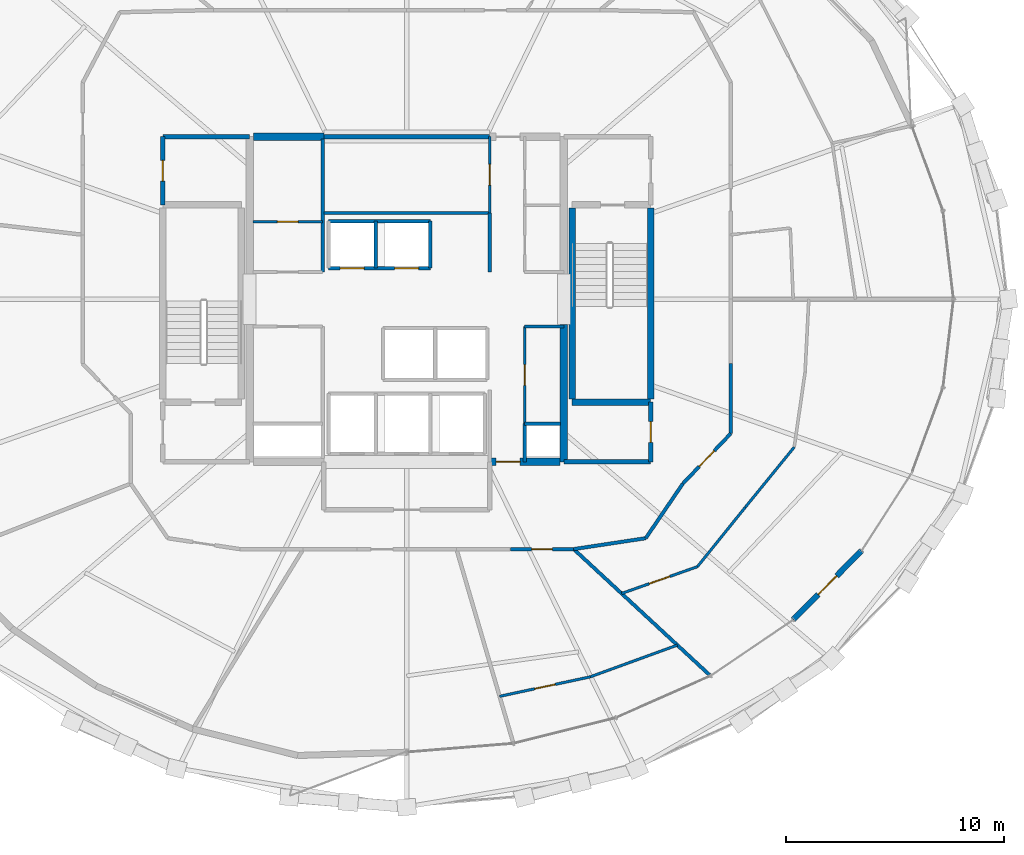
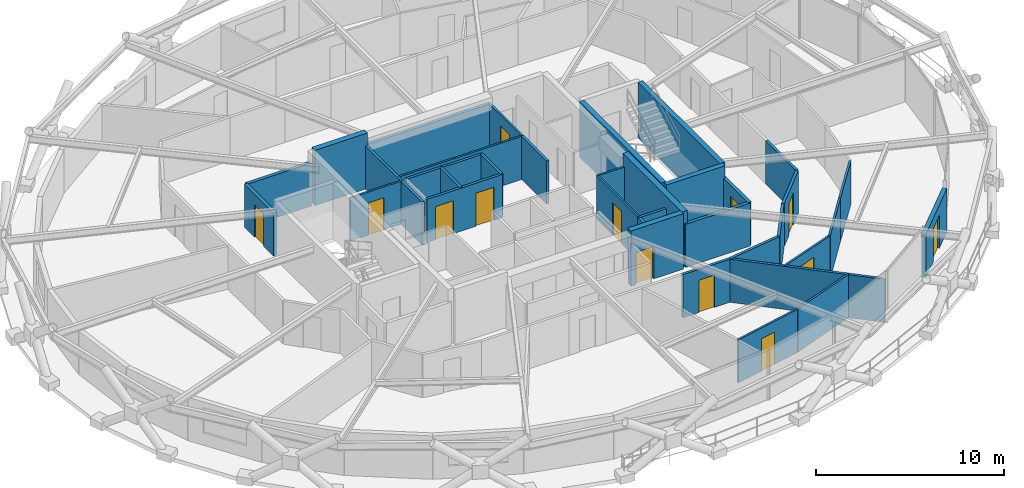
# One storey, part 12 of 15: 36 walls, 13 doors, 13 openings.
"""IFC4 building model written with IfcOpenShell, lengths in metres."""

from ifc_helpers import new_model, si_unit, direction, frame, frame_2d, origin, place, context, subcontext, project, spatial, rectangle, extrude, material, layer, layer_set, type_object, element, fill, save


model = new_model("IFC4")

# Units and contexts
model_context = context("Model", 3, precision=1e-05, world=origin(), true_north=direction((0.0, 1.0)))
body_context = subcontext(model_context, "Body", "Model", "MODEL_VIEW")
ifc_project = project(units=[si_unit("LENGTHUNIT", "METRE"), si_unit("AREAUNIT", "SQUARE_METRE"), si_unit("VOLUMEUNIT", "CUBIC_METRE"), si_unit("PLANEANGLEUNIT", "RADIAN"), si_unit("MASSUNIT", "GRAM", prefix="KILO")], contexts=[model_context])

# Site, building, storey
site_placement = place(None, origin())
site = spatial("IfcSite", under=ifc_project, at=site_placement, CompositionType="ELEMENT")
building_placement = place(site_placement, origin())
building = spatial("IfcBuilding", under=site, at=building_placement, Name="Veldorina Hangang Commons", CompositionType="ELEMENT")
storey_placement = place(building_placement, frame((0.0, 0.0, 182.0)))
storey = spatial("IfcBuildingStorey", under=building, at=storey_placement, Name="L47", CompositionType="ELEMENT", Elevation=182.0)

# Wall
ifc_material_1 = material(Name="Concrete C60/75", Category="concrete")
ifc_layer_1 = layer(ifc_material_1, 0.340087890625)
ifc_layer_set_1 = layer_set([ifc_layer_1], Name="Concrete C60/75")
wall_type_1 = type_object("IfcWallType", Name="CW-RC340-C60", PredefinedType="SHEAR", material=ifc_layer_set_1)
wall_1_placement = place(storey_placement, frame((39.199951171875, 16.550048828125, 0.0), z_axis=(0.0, 0.0, 1.0), x_axis=(0.0, 1.0, 0.0)))
element("IfcWall", 1, at=wall_1_placement, inside=storey, type_object=wall_type_1, Name="L47 E south core shear wall", PredefinedType="SHEAR", context=body_context, shape_type="SweptSolid", body=[
    extrude(rectangle(XDim=6.300048828125, YDim=0.340087890625, at=frame_2d((3.14990234375, 0.0))), origin(), (0.0, 0.0, 1.0), 3.60009765625),
])

# Wall, opening, door
wall_2_placement = place(storey_placement, frame((35.800048828125, 16.550048828125, 0.0), z_axis=(0.0, 0.0, 1.0), x_axis=(1.0, 0.0, 0.0)))
wall_2 = element("IfcWall", 2, at=wall_2_placement, inside=storey, type_object=wall_type_1, Name="L47 south-east core shear wall", PredefinedType="SHEAR", context=body_context, shape_type="SweptSolid", body=[
    extrude(rectangle(XDim=3.22998046875, YDim=0.340087890625, at=frame_2d((1.614990234375, 0.0))), origin(), (0.0, 0.0, 1.0), 3.60009765625),
])
opening_1_placement = place(wall_2_placement, frame((0.300048828125, 0.0, 0.0)))
opening_1 = element("IfcOpeningElement", 3, at=opening_1_placement, cuts=wall_2, Name="Opening D-08", PredefinedType="OPENING", context=body_context, shape_type="SweptSolid", body=[
    extrude(rectangle(XDim=1.10009765625, YDim=2.10009765625, at=frame_2d((0.550048828125, 1.050048828125))), frame((0.0, 0.18017578125, 0.0), z_axis=(0.0, -1.0, 0.0), x_axis=(1.0, 0.0, 0.0)), (0.0, 0.0, 1.0), 0.360107421875),
])
ifc_material_2 = material(Name="Steel Fire-Rated Smoke Seal", Category="steel")
door_type_1 = type_object("IfcDoorType", Name="DR-FIRE-1100", OperationType="SINGLE_SWING_RIGHT", PredefinedType="DOOR", material=ifc_material_2)
door_1_placement = place(opening_1_placement, origin())
door_1 = element("IfcDoor", 4, at=door_1_placement, inside=storey, type_object=door_type_1, Name="L47 central lift lobby south corridor door", OperationType="SINGLE_SWING_RIGHT", OverallHeight=2.10009765625, OverallWidth=1.10009765625, PredefinedType="DOOR", context=body_context, shape_type="SweptSolid", body=[
    extrude(rectangle(XDim=1.10009765625, YDim=2.10009765625, at=frame_2d((0.550048828125, 1.050048828125))), frame((0.0, 0.02490234375, 0.0), z_axis=(0.0, -1.0, 0.0), x_axis=(1.0, 0.0, 0.0)), (0.0, 0.0, 1.0), 0.050048828125),
])
fill(opening_1, door_1)

# Wall
wall_3_placement = place(storey_placement, frame((24.969970703125, 31.449951171875, 0.0), z_axis=(0.0, 0.0, 1.0), x_axis=(1.0, 0.0, 0.0)))
element("IfcWall", 5, at=wall_3_placement, inside=storey, type_object=wall_type_1, Name="L47 north-west core shear wall", PredefinedType="SHEAR", context=body_context, shape_type="SweptSolid", body=[
    extrude(rectangle(XDim=3.22998046875, YDim=0.340087890625, at=frame_2d((1.614990234375, 0.0))), origin(), (0.0, 0.0, 1.0), 3.60009765625),
])

# Wall, opening, door
ifc_material_3 = material(Name="Stone Roman Travertine", Category="masonry")
ifc_layer_2 = layer(ifc_material_3, 0.260009765625)
ifc_layer_set_2 = layer_set([ifc_layer_2], Name="Stone Roman Travertine")
wall_type_2 = type_object("IfcWallType", Name="EW-LOGGIA-260", PredefinedType="STANDARD", material=ifc_layer_set_2)
wall_4_placement = place(storey_placement, frame((49.71728515625, 9.323486328125, 0.0), z_axis=(0.0, 0.0, 1.0), x_axis=(0.703818286912, 0.710380052513, 0.0)))
wall_4 = element("IfcWall", 6, at=wall_4_placement, inside=storey, type_object=wall_type_2, Name="L47 sky-garden loggia portal wall 28", PredefinedType="STANDARD", context=body_context, shape_type="SweptSolid", body=[
    extrude(rectangle(XDim=4.427490234375, YDim=0.260009765625, at=frame_2d((2.2138671875, 0.0))), origin(), (0.0, 0.0, 1.0), 2.820068359375),
])
opening_2_placement = place(wall_4_placement, frame((1.61376953125, 0.0, 0.0)))
opening_2 = element("IfcOpeningElement", 7, at=opening_2_placement, cuts=wall_4, Name="Opening BD-1200", PredefinedType="OPENING", context=body_context, shape_type="SweptSolid", body=[
    extrude(rectangle(XDim=1.199951171875, YDim=2.14990234375, at=frame_2d((0.60009765625, 1.074951171875))), frame((0.0, 0.14013671875, 0.0), z_axis=(0.0, -1.0, 0.0), x_axis=(1.0, 0.0, 0.0)), (0.0, 0.0, 1.0), 0.280029296875),
])
ifc_material_4 = material(Name="Glass Thermal Aluminium Frame", Category="aluminium")
door_type_2 = type_object("IfcDoorType", Name="DR-EXT-LOG1200", OperationType="SINGLE_SWING_LEFT", PredefinedType="DOOR", material=ifc_material_4)
door_2_placement = place(opening_2_placement, origin())
door_2 = element("IfcDoor", 8, at=door_2_placement, inside=storey, type_object=door_type_2, Name="L47 loggia glazed exterior door 28", OperationType="SINGLE_SWING_LEFT", OverallHeight=2.14990234375, OverallWidth=1.199951171875, PredefinedType="DOOR", context=body_context, shape_type="SweptSolid", body=[
    extrude(rectangle(XDim=1.199951171875, YDim=2.14990234375, at=frame_2d((0.60009765625, 1.074951171875))), frame((0.0, 0.02490234375, 0.0), z_axis=(0.0, -1.0, 0.0), x_axis=(1.0, 0.0, 0.0)), (0.0, 0.0, 1.0), 0.050048828125),
])
fill(opening_2, door_2)

# Walls
ifc_material_5 = material(Name="Concrete C50/60", Category="concrete")
ifc_layer_3 = layer(ifc_material_5, 0.300048828125)
ifc_layer_set_3 = layer_set([ifc_layer_3], Name="Concrete C50/60")
wall_type_3 = type_object("IfcWallType", Name="SW-STAIR-300", PredefinedType="SHEAR", material=ifc_layer_set_3)
for number, where, z_axis, x_axis, name in (
    (9, (43.179931640625, 19.429931640625, 0.0), (0.0, 0.0, 1.0), (0.0, 1.0, 0.0), "L47 ST2 outer stair shear wall"),
    (10, (39.580078125, 19.429931640625, 0.0), (0.0, 0.0, 1.0), (0.0, 1.0, 0.0), "L47 ST2 inner stair shear wall"),
):
    element("IfcWall", number, at=place(storey_placement, frame(where, z_axis=z_axis, x_axis=x_axis)), inside=storey, type_object=wall_type_3, Name=name, PredefinedType="SHEAR", context=body_context, shape_type="SweptSolid", body=[
        extrude(rectangle(XDim=8.739990234375, YDim=0.300048828125, at=frame_2d((4.3701171875, 0.0))), origin(), (0.0, 0.0, 1.0), 3.60009765625),
    ])
wall_5_placement = place(storey_placement, frame((39.580078125, 19.280029296875, 0.0), z_axis=(0.0, 0.0, 1.0), x_axis=(1.0, 0.0, 0.0)))
element("IfcWall", 11, at=wall_5_placement, inside=storey, type_object=wall_type_3, Name="L47 ST2 south stair shear wall", PredefinedType="SHEAR", context=body_context, shape_type="SweptSolid", body=[
    extrude(rectangle(XDim=3.599853515625, YDim=0.300048828125, at=frame_2d((1.7998046875, 0.0))), origin(), (0.0, 0.0, 1.0), 3.60009765625),
])
ifc_material_6 = material(Name="Gypsum Fire-Rated Twin Stud Wall", Category="gypsum")
ifc_layer_4 = layer(ifc_material_6, 0.159912109375)
ifc_layer_set_4 = layer_set([ifc_layer_4], Name="Gypsum Fire-Rated Twin Stud Wall")
wall_type_4 = type_object("IfcWallType", Name="WL-FIRE-160", PredefinedType="SOLIDWALL", material=ifc_layer_set_4)
wall_6_placement = place(storey_placement, frame((37.39990234375, 16.550048828125, 0.0), z_axis=(0.0, 0.0, 1.0), x_axis=(0.0, 1.0, 0.0)))
element("IfcWall", 12, at=wall_6_placement, inside=storey, type_object=wall_type_4, Name="L47 Lift passage SE stub 010", PredefinedType="SOLIDWALL", context=body_context, shape_type="SweptSolid", body=[
    extrude(rectangle(XDim=1.75, YDim=0.159912109375, at=frame_2d((0.875, 0.0))), origin(), (0.0, 0.0, 1.0), 2.800048828125),
])
wall_7_placement = place(storey_placement, frame((35.800048828125, 25.25, 0.0), z_axis=(0.0, 0.0, 1.0), x_axis=(0.0, 1.0, 0.0)))
element("IfcWall", 13, at=wall_7_placement, inside=storey, type_object=wall_type_4, Name="L47 Lift passage NW lower wall 011", PredefinedType="SOLIDWALL", context=body_context, shape_type="SweptSolid", body=[
    extrude(rectangle(XDim=2.699951171875, YDim=0.159912109375, at=frame_2d((1.35009765625, 0.0))), origin(), (0.0, 0.0, 1.0), 2.800048828125),
])

# Wall, openings, doors
wall_8_placement = place(storey_placement, frame((28.419921875, 25.419921875, 0.0), z_axis=(0.0, 0.0, 1.0), x_axis=(1.0, 0.0, 0.0)))
wall_8 = element("IfcWall", 14, at=wall_8_placement, inside=storey, type_object=wall_type_4, Name="L47 Mid-high front shaft wall 015", PredefinedType="SOLIDWALL", context=body_context, shape_type="SweptSolid", body=[
    extrude(rectangle(XDim=4.66015625, YDim=0.159912109375, at=frame_2d((2.330078125, 0.0))), origin(), (0.0, 0.0, 1.0), 2.800048828125),
])
opening_3_placement = place(wall_8_placement, frame((0.530029296875, 0.0, 0.0)))
opening_3 = element("IfcOpeningElement", 15, at=opening_3_placement, cuts=wall_8, Name="Opening LD-01", PredefinedType="OPENING", context=body_context, shape_type="SweptSolid", body=[
    extrude(rectangle(XDim=1.10009765625, YDim=2.14990234375, at=frame_2d((0.550048828125, 1.074951171875))), frame((0.0, 0.08984375, 0.0), z_axis=(0.0, -1.0, 0.0), x_axis=(1.0, 0.0, 0.0)), (0.0, 0.0, 1.0), 0.179931640625),
])
opening_4_placement = place(wall_8_placement, frame((3.030029296875, 0.0, 0.0)))
opening_4 = element("IfcOpeningElement", 16, at=opening_4_placement, cuts=wall_8, Name="Opening LD-01", PredefinedType="OPENING", context=body_context, shape_type="SweptSolid", body=[
    extrude(rectangle(XDim=1.10009765625, YDim=2.14990234375, at=frame_2d((0.550048828125, 1.074951171875))), frame((0.0, 0.08984375, 0.0), z_axis=(0.0, -1.0, 0.0), x_axis=(1.0, 0.0, 0.0)), (0.0, 0.0, 1.0), 0.179931640625),
])
ifc_material_7 = material(Name="Stainless Steel Brushed Lift Door", Category="steel")
door_type_3 = type_object("IfcDoorType", Name="DR-LIFT-1100", OperationType="SLIDING_TO_LEFT", PredefinedType="DOOR", material=ifc_material_7)
door_3_placement = place(opening_3_placement, origin())
door_3 = element("IfcDoor", 17, at=door_3_placement, inside=storey, type_object=door_type_3, Name="L47 Lift PL-M1 landing door 006", OperationType="SLIDING_TO_RIGHT", OverallHeight=2.14990234375, OverallWidth=1.10009765625, PredefinedType="DOOR", context=body_context, shape_type="SweptSolid", body=[
    extrude(rectangle(XDim=1.10009765625, YDim=2.14990234375, at=frame_2d((0.550048828125, 1.074951171875))), frame((0.0, 0.02490234375, 0.0), z_axis=(0.0, -1.0, 0.0), x_axis=(1.0, 0.0, 0.0)), (0.0, 0.0, 1.0), 0.050048828125),
])
fill(opening_3, door_3)
door_4_placement = place(opening_4_placement, origin())
door_4 = element("IfcDoor", 18, at=door_4_placement, inside=storey, type_object=door_type_3, Name="L47 Lift PL-M2 landing door 007", OperationType="SLIDING_TO_RIGHT", OverallHeight=2.14990234375, OverallWidth=1.10009765625, PredefinedType="DOOR", context=body_context, shape_type="SweptSolid", body=[
    extrude(rectangle(XDim=1.10009765625, YDim=2.14990234375, at=frame_2d((0.550048828125, 1.074951171875))), frame((0.0, 0.02490234375, 0.0), z_axis=(0.0, -1.0, 0.0), x_axis=(1.0, 0.0, 0.0)), (0.0, 0.0, 1.0), 0.050048828125),
])
fill(opening_4, door_4)

# Walls
wall_9_placement = place(storey_placement, frame((28.419921875, 27.580078125, 0.0), z_axis=(0.0, 0.0, 1.0), x_axis=(1.0, 0.0, 0.0)))
element("IfcWall", 19, at=wall_9_placement, inside=storey, type_object=wall_type_4, Name="L47 Mid-high rear shaft wall 016", PredefinedType="SOLIDWALL", context=body_context, shape_type="SweptSolid", body=[
    extrude(rectangle(XDim=4.66015625, YDim=0.159912109375, at=frame_2d((2.330078125, 0.0))), origin(), (0.0, 0.0, 1.0), 2.800048828125),
])
for number, where, z_axis, x_axis, name in (
    (20, (30.580078125, 25.419921875, 0.0), (0.0, 0.0, 1.0), (0.0, 1.0, 0.0), "L47 PL-M1 east shaft wall 018"),
    (21, (33.080078125, 25.419921875, 0.0), (0.0, 0.0, 1.0), (0.0, 1.0, 0.0), "L47 PL-M2 east shaft wall 019"),
):
    element("IfcWall", number, at=place(storey_placement, frame(where, z_axis=z_axis, x_axis=x_axis)), inside=storey, type_object=wall_type_4, Name=name, PredefinedType="SOLIDWALL", context=body_context, shape_type="SweptSolid", body=[
        extrude(rectangle(XDim=2.16015625, YDim=0.159912109375, at=frame_2d((1.080078125, 0.0))), origin(), (0.0, 0.0, 1.0), 2.800048828125),
    ])
wall_10_placement = place(storey_placement, frame((37.39990234375, 18.300048828125, 0.0), z_axis=(0.0, 0.0, 1.0), x_axis=(1.0, 0.0, 0.0)))
element("IfcWall", 22, at=wall_10_placement, inside=storey, type_object=wall_type_4, Name="L47 Plumbing riser wall 036", PredefinedType="SOLIDWALL", context=body_context, shape_type="SweptSolid", body=[
    extrude(rectangle(XDim=1.650146484375, YDim=0.159912109375, at=frame_2d((0.8251953125, 0.0))), origin(), (0.0, 0.0, 1.0), 2.800048828125),
])
wall_11_placement = place(storey_placement, frame((28.14990234375, 25.25, 0.0), z_axis=(0.0, 0.0, 1.0), x_axis=(0.0, 1.0, 0.0)))
element("IfcWall", 23, at=wall_11_placement, inside=storey, type_object=wall_type_4, Name="L47 NW core inner wall 037", PredefinedType="SOLIDWALL", context=body_context, shape_type="SweptSolid", body=[
    extrude(rectangle(XDim=6.10009765625, YDim=0.159912109375, at=frame_2d((3.050048828125, 0.0))), origin(), (0.0, 0.0, 1.0), 2.800048828125),
])

# Wall, opening, door
wall_12_placement = place(storey_placement, frame((36.74267578125, 12.550048828125, 0.0), z_axis=(0.0, 0.0, 1.0), x_axis=(1.0, 0.0, 0.0)))
wall_12 = element("IfcWall", 24, at=wall_12_placement, inside=storey, type_object=wall_type_4, Name="L47 U-corridor outer wall 26 072", PredefinedType="SOLIDWALL", context=body_context, shape_type="SweptSolid", body=[
    extrude(rectangle(XDim=2.907958984375, YDim=0.159912109375, at=frame_2d((1.4541015625, 0.0))), origin(), (0.0, 0.0, 1.0), 2.800048828125),
])
opening_5_placement = place(wall_12_placement, frame((0.97900390625, 0.0, 0.0)))
opening_5 = element("IfcOpeningElement", 25, at=opening_5_placement, cuts=wall_12, Name="Opening D-02", PredefinedType="OPENING", context=body_context, shape_type="SweptSolid", body=[
    extrude(rectangle(XDim=0.949951171875, YDim=2.10009765625, at=frame_2d((0.47509765625, 1.050048828125))), frame((0.0, 0.08984375, 0.0), z_axis=(0.0, -1.0, 0.0), x_axis=(1.0, 0.0, 0.0)), (0.0, 0.0, 1.0), 0.179931640625),
])
ifc_material_8 = material(Name="Timber Solid Core Acoustic", Category="wood")
door_type_4 = type_object("IfcDoorType", Name="DR-INT-950", OperationType="SINGLE_SWING_LEFT", PredefinedType="DOOR", material=ifc_material_8)
door_5_placement = place(opening_5_placement, origin())
door_5 = element("IfcDoor", 26, at=door_5_placement, inside=storey, type_object=door_type_4, Name="L47 Linen drying store door 034", OperationType="SINGLE_SWING_RIGHT", OverallHeight=2.10009765625, OverallWidth=0.949951171875, PredefinedType="DOOR", context=body_context, shape_type="SweptSolid", body=[
    extrude(rectangle(XDim=0.949951171875, YDim=2.10009765625, at=frame_2d((0.47509765625, 1.050048828125))), frame((0.0, 0.02490234375, 0.0), z_axis=(0.0, -1.0, 0.0), x_axis=(1.0, 0.0, 0.0)), (0.0, 0.0, 1.0), 0.050048828125),
])
fill(opening_5, door_5)

# Walls
wall_13_placement = place(storey_placement, frame((39.650634765625, 12.550048828125, 0.0), z_axis=(0.0, 0.0, 1.0), x_axis=(0.988710906508, 0.149835721217, 0.0)))
element("IfcWall", 27, at=wall_13_placement, inside=storey, type_object=wall_type_4, Name="L47 U-corridor outer wall 27 073", PredefinedType="SOLIDWALL", context=body_context, shape_type="SweptSolid", body=[
    extrude(rectangle(XDim=3.3369140625, YDim=0.159912109375, at=frame_2d((1.66845703125, 0.0))), origin(), (0.0, 0.0, 1.0), 2.800048828125),
])
wall_14_placement = place(storey_placement, frame((42.949951171875, 13.050048828125, 0.0), z_axis=(0.0, 0.0, 1.0), x_axis=(0.562674669208, 0.826678423955, 0.0)))
element("IfcWall", 28, at=wall_14_placement, inside=storey, type_object=wall_type_4, Name="L47 U-corridor outer wall 28 074", PredefinedType="SOLIDWALL", context=body_context, shape_type="SweptSolid", body=[
    extrude(rectangle(XDim=3.021240234375, YDim=0.159912109375, at=frame_2d((1.5107421875, 0.0))), origin(), (0.0, 0.0, 1.0), 2.800048828125),
])

# Wall, opening, door
wall_15_placement = place(storey_placement, frame((44.64990234375, 15.547607421875, 0.0), z_axis=(0.0, 0.0, 1.0), x_axis=(0.691055487108, 0.722801711216, 0.0)))
wall_15 = element("IfcWall", 29, at=wall_15_placement, inside=storey, type_object=wall_type_4, Name="L47 U-corridor outer wall 29 075", PredefinedType="SOLIDWALL", context=body_context, shape_type="SweptSolid", body=[
    extrude(rectangle(XDim=3.183837890625, YDim=0.159912109375, at=frame_2d((1.591796875, 0.0))), origin(), (0.0, 0.0, 1.0), 2.800048828125),
])
opening_6_placement = place(wall_15_placement, frame((1.091796875, 0.0, 0.0)))
opening_6 = element("IfcOpeningElement", 30, at=opening_6_placement, cuts=wall_15, Name="Opening D-05", PredefinedType="OPENING", context=body_context, shape_type="SweptSolid", body=[
    extrude(rectangle(XDim=1.0, YDim=2.10009765625, at=frame_2d((0.5, 1.050048828125))), frame((0.0, 0.08984375, 0.0), z_axis=(0.0, -1.0, 0.0), x_axis=(1.0, 0.0, 0.0)), (0.0, 0.0, 1.0), 0.179931640625),
])
door_type_5 = type_object("IfcDoorType", Name="DR-INT-1000", OperationType="SINGLE_SWING_RIGHT", PredefinedType="DOOR", material=ifc_material_8)
door_6_placement = place(opening_6_placement, origin())
door_6 = element("IfcDoor", 31, at=door_6_placement, inside=storey, type_object=door_type_5, Name="L47 Commons alcove door 018", OperationType="SINGLE_SWING_RIGHT", OverallHeight=2.10009765625, OverallWidth=1.0, PredefinedType="DOOR", context=body_context, shape_type="SweptSolid", body=[
    extrude(rectangle(XDim=1.0, YDim=2.10009765625, at=frame_2d((0.5, 1.050048828125))), frame((0.0, 0.02490234375, 0.0), z_axis=(0.0, -1.0, 0.0), x_axis=(1.0, 0.0, 0.0)), (0.0, 0.0, 1.0), 0.050048828125),
])
fill(opening_6, door_6)

# Walls
wall_16_placement = place(storey_placement, frame((46.85009765625, 17.848876953125, 0.0), z_axis=(0.0, 0.0, 1.0), x_axis=(0.0, 1.0, 0.0)))
element("IfcWall", 32, at=wall_16_placement, inside=storey, type_object=wall_type_4, Name="L47 U-corridor outer wall 30 076", PredefinedType="SOLIDWALL", context=body_context, shape_type="SweptSolid", body=[
    extrude(rectangle(XDim=3.197265625, YDim=0.159912109375, at=frame_2d((1.5986328125, 0.0))), origin(), (0.0, 0.0, 1.0), 2.800048828125),
])
wall_17_placement = place(storey_placement, frame((39.650634765625, 12.550048828125, 0.0), z_axis=(0.0, 0.0, 1.0), x_axis=(0.733614757442, -0.679565587462, 0.0)))
element("IfcWall", 33, at=wall_17_placement, inside=storey, type_object=wall_type_4, Name="L47 Unit party wall 27 078", PredefinedType="SOLIDWALL", context=body_context, shape_type="SweptSolid", body=[
    extrude(rectangle(XDim=8.49658203125, YDim=0.159912109375, at=frame_2d((4.248291015625, 0.0))), origin(), (0.0, 0.0, 1.0), 2.800048828125),
])

# Wall, opening, door
ifc_material_9 = material(Name="Concrete Blockwork Fire Wall C30/37", Category="masonry")
ifc_layer_5 = layer(ifc_material_9, 0.199951171875)
ifc_layer_set_5 = layer_set([ifc_layer_5], Name="Concrete Blockwork Fire Wall C30/37")
wall_type_5 = type_object("IfcWallType", Name="WL-FIRE-200", PredefinedType="SOLIDWALL", material=ifc_layer_set_5)
wall_18_placement = place(storey_placement, frame((20.820068359375, 28.320068359375, 0.0), z_axis=(0.0, 0.0, 1.0), x_axis=(0.0, 1.0, 0.0)))
wall_18 = element("IfcWall", 34, at=wall_18_placement, inside=storey, type_object=wall_type_5, Name="L47 NW core room outer wall 005", PredefinedType="SOLIDWALL", context=body_context, shape_type="SweptSolid", body=[
    extrude(rectangle(XDim=3.1298828125, YDim=0.199951171875, at=frame_2d((1.56494140625, 0.0))), origin(), (0.0, 0.0, 1.0), 2.800048828125),
])
opening_7_placement = place(wall_18_placement, frame((1.090087890625, 0.0, 0.0)))
opening_7 = element("IfcOpeningElement", 35, at=opening_7_placement, cuts=wall_18, Name="Opening D-04", PredefinedType="OPENING", context=body_context, shape_type="SweptSolid", body=[
    extrude(rectangle(XDim=0.949951171875, YDim=2.10009765625, at=frame_2d((0.47509765625, 1.050048828125))), frame((0.0, 0.10986328125, 0.0), z_axis=(0.0, -1.0, 0.0), x_axis=(1.0, 0.0, 0.0)), (0.0, 0.0, 1.0), 0.219970703125),
])
ifc_material_10 = material(Name="Timber Accessible Flush Leaf", Category="wood")
door_type_6 = type_object("IfcDoorType", Name="DR-ACC-950", OperationType="SINGLE_SWING_LEFT", PredefinedType="DOOR", material=ifc_material_10)
door_7_placement = place(opening_7_placement, origin())
door_7 = element("IfcDoor", 36, at=door_7_placement, inside=storey, type_object=door_type_6, Name="L47 NW core WC door 003", OperationType="SINGLE_SWING_LEFT", OverallHeight=2.10009765625, OverallWidth=0.949951171875, PredefinedType="DOOR", context=body_context, shape_type="SweptSolid", body=[
    extrude(rectangle(XDim=0.949951171875, YDim=2.10009765625, at=frame_2d((0.47509765625, 1.050048828125))), frame((0.0, 0.02490234375, 0.0), z_axis=(0.0, -1.0, 0.0), x_axis=(1.0, 0.0, 0.0)), (0.0, 0.0, 1.0), 0.050048828125),
])
fill(opening_7, door_7)

# Wall
wall_19_placement = place(storey_placement, frame((20.820068359375, 31.449951171875, 0.0), z_axis=(0.0, 0.0, 1.0), x_axis=(1.0, 0.0, 0.0)))
element("IfcWall", 37, at=wall_19_placement, inside=storey, type_object=wall_type_5, Name="L47 NW core room north wall 006", PredefinedType="SOLIDWALL", context=body_context, shape_type="SweptSolid", body=[
    extrude(rectangle(XDim=3.97998046875, YDim=0.199951171875, at=frame_2d((1.989990234375, 0.0))), origin(), (0.0, 0.0, 1.0), 2.800048828125),
])

# Wall, opening, door
wall_20_placement = place(storey_placement, frame((43.179931640625, 16.550048828125, 0.0), z_axis=(0.0, 0.0, 1.0), x_axis=(0.0, 1.0, 0.0)))
wall_20 = element("IfcWall", 38, at=wall_20_placement, inside=storey, type_object=wall_type_5, Name="L47 SE core room outer wall 007", PredefinedType="SOLIDWALL", context=body_context, shape_type="SweptSolid", body=[
    extrude(rectangle(XDim=2.72998046875, YDim=0.199951171875, at=frame_2d((1.364990234375, 0.0))), origin(), (0.0, 0.0, 1.0), 2.800048828125),
])
opening_8_placement = place(wall_20_placement, frame((0.889892578125, 0.0, 0.0)))
opening_8 = element("IfcOpeningElement", 39, at=opening_8_placement, cuts=wall_20, Name="Opening D-02", PredefinedType="OPENING", context=body_context, shape_type="SweptSolid", body=[
    extrude(rectangle(XDim=0.949951171875, YDim=2.10009765625, at=frame_2d((0.47509765625, 1.050048828125))), frame((0.0, 0.10986328125, 0.0), z_axis=(0.0, -1.0, 0.0), x_axis=(1.0, 0.0, 0.0)), (0.0, 0.0, 1.0), 0.219970703125),
])
door_8_placement = place(opening_8_placement, origin())
door_8 = element("IfcDoor", 40, at=door_8_placement, inside=storey, type_object=door_type_4, Name="L47 SE core WC door 004", OperationType="SINGLE_SWING_RIGHT", OverallHeight=2.10009765625, OverallWidth=0.949951171875, PredefinedType="DOOR", context=body_context, shape_type="SweptSolid", body=[
    extrude(rectangle(XDim=0.949951171875, YDim=2.10009765625, at=frame_2d((0.47509765625, 1.050048828125))), frame((0.0, 0.02490234375, 0.0), z_axis=(0.0, -1.0, 0.0), x_axis=(1.0, 0.0, 0.0)), (0.0, 0.0, 1.0), 0.050048828125),
])
fill(opening_8, door_8)

# Walls
wall_21_placement = place(storey_placement, frame((39.199951171875, 16.550048828125, 0.0), z_axis=(0.0, 0.0, 1.0), x_axis=(1.0, 0.0, 0.0)))
element("IfcWall", 41, at=wall_21_placement, inside=storey, type_object=wall_type_5, Name="L47 SE core room south wall 008", PredefinedType="SOLIDWALL", context=body_context, shape_type="SweptSolid", body=[
    extrude(rectangle(XDim=3.97998046875, YDim=0.199951171875, at=frame_2d((1.989990234375, 0.0))), origin(), (0.0, 0.0, 1.0), 2.800048828125),
])
wall_22_placement = place(storey_placement, frame((28.199951171875, 31.449951171875, 0.0), z_axis=(0.0, 0.0, 1.0), x_axis=(1.0, 0.0, 0.0)))
element("IfcWall", 42, at=wall_22_placement, inside=storey, type_object=wall_type_5, Name="L47 Merged north core wall 031", PredefinedType="SOLIDWALL", context=body_context, shape_type="SweptSolid", body=[
    extrude(rectangle(XDim=7.60009765625, YDim=0.199951171875, at=frame_2d((3.800048828125, 0.0))), origin(), (0.0, 0.0, 1.0), 2.800048828125),
])
ifc_material_11 = material(Name="Gypsum Acoustic Stud Partition", Category="gypsum")
ifc_layer_6 = layer(ifc_material_11, 0.1201171875)
ifc_layer_set_6 = layer_set([ifc_layer_6], Name="Gypsum Acoustic Stud Partition")
wall_type_6 = type_object("IfcWallType", Name="WL-PART-120", PredefinedType="PARTITIONING", material=ifc_layer_set_6)
wall_23_placement = place(storey_placement, frame((28.199951171875, 27.949951171875, 0.0), z_axis=(0.0, 0.0, 1.0), x_axis=(1.0, 0.0, 0.0)))
element("IfcWall", 43, at=wall_23_placement, inside=storey, type_object=wall_type_6, Name="L47 Merged north south wall 032", PredefinedType="PARTITIONING", context=body_context, shape_type="SweptSolid", body=[
    extrude(rectangle(XDim=7.60009765625, YDim=0.1201171875, at=frame_2d((3.800048828125, 0.0))), origin(), (0.0, 0.0, 1.0), 2.800048828125),
])

# Wall, opening, door
wall_24_placement = place(storey_placement, frame((35.800048828125, 27.949951171875, 0.0), z_axis=(0.0, 0.0, 1.0), x_axis=(0.0, 1.0, 0.0)))
wall_24 = element("IfcWall", 44, at=wall_24_placement, inside=storey, type_object=wall_type_6, Name="L47 Merged north east wall 033", PredefinedType="PARTITIONING", context=body_context, shape_type="SweptSolid", body=[
    extrude(rectangle(XDim=3.5, YDim=0.1201171875, at=frame_2d((1.75, 0.0))), origin(), (0.0, 0.0, 1.0), 2.800048828125),
])
opening_9_placement = place(wall_24_placement, frame((1.27490234375, 0.0, 0.0)))
opening_9 = element("IfcOpeningElement", 45, at=opening_9_placement, cuts=wall_24, Name="Opening D-02", PredefinedType="OPENING", context=body_context, shape_type="SweptSolid", body=[
    extrude(rectangle(XDim=0.949951171875, YDim=2.10009765625, at=frame_2d((0.47509765625, 1.050048828125))), frame((0.0, 0.070068359375, 0.0), z_axis=(0.0, -1.0, 0.0), x_axis=(1.0, 0.0, 0.0)), (0.0, 0.0, 1.0), 0.14013671875),
])
door_9_placement = place(opening_9_placement, origin())
door_9 = element("IfcDoor", 46, at=door_9_placement, inside=storey, type_object=door_type_4, Name="L47 Merged north room lobby door 011", OperationType="SINGLE_SWING_LEFT", OverallHeight=2.10009765625, OverallWidth=0.949951171875, PredefinedType="DOOR", context=body_context, shape_type="SweptSolid", body=[
    extrude(rectangle(XDim=0.949951171875, YDim=2.10009765625, at=frame_2d((0.47509765625, 1.050048828125))), frame((0.0, 0.02490234375, 0.0), z_axis=(0.0, -1.0, 0.0), x_axis=(1.0, 0.0, 0.0)), (0.0, 0.0, 1.0), 0.050048828125),
])
fill(opening_9, door_9)

wall_25_placement = place(storey_placement, frame((37.39990234375, 18.300048828125, 0.0), z_axis=(0.0, 0.0, 1.0), x_axis=(0.0, 1.0, 0.0)))
wall_25 = element("IfcWall", 47, at=wall_25_placement, inside=storey, type_object=wall_type_6, Name="L47 SE strip lobby wall 042", PredefinedType="PARTITIONING", context=body_context, shape_type="SweptSolid", body=[
    extrude(rectangle(XDim=4.449951171875, YDim=0.1201171875, at=frame_2d((2.22509765625, 0.0))), origin(), (0.0, 0.0, 1.0), 2.800048828125),
])
opening_10_placement = place(wall_25_placement, frame((1.75, 0.0, 0.0)))
opening_10 = element("IfcOpeningElement", 48, at=opening_10_placement, cuts=wall_25, Name="Opening D-02", PredefinedType="OPENING", context=body_context, shape_type="SweptSolid", body=[
    extrude(rectangle(XDim=0.949951171875, YDim=2.10009765625, at=frame_2d((0.47509765625, 1.050048828125))), frame((0.0, 0.070068359375, 0.0), z_axis=(0.0, -1.0, 0.0), x_axis=(1.0, 0.0, 0.0)), (0.0, 0.0, 1.0), 0.14013671875),
])
door_10_placement = place(opening_10_placement, origin())
door_10 = element("IfcDoor", 49, at=door_10_placement, inside=storey, type_object=door_type_4, Name="L47 Cleaners supply door 017", OperationType="SINGLE_SWING_LEFT", OverallHeight=2.10009765625, OverallWidth=0.949951171875, PredefinedType="DOOR", context=body_context, shape_type="SweptSolid", body=[
    extrude(rectangle(XDim=0.949951171875, YDim=2.10009765625, at=frame_2d((0.47509765625, 1.050048828125))), frame((0.0, 0.02490234375, 0.0), z_axis=(0.0, -1.0, 0.0), x_axis=(1.0, 0.0, 0.0)), (0.0, 0.0, 1.0), 0.050048828125),
])
fill(opening_10, door_10)

# Wall
wall_26_placement = place(storey_placement, frame((37.39990234375, 22.75, 0.0), z_axis=(0.0, 0.0, 1.0), x_axis=(1.0, 0.0, 0.0)))
element("IfcWall", 50, at=wall_26_placement, inside=storey, type_object=wall_type_6, Name="L47 SE strip north return wall 043", PredefinedType="PARTITIONING", context=body_context, shape_type="SweptSolid", body=[
    extrude(rectangle(XDim=1.800048828125, YDim=0.1201171875, at=frame_2d((0.89990234375, 0.0))), origin(), (0.0, 0.0, 1.0), 2.800048828125),
])

# Wall, opening, door
wall_27_placement = place(storey_placement, frame((24.949951171875, 27.550048828125, 0.0), z_axis=(0.0, 0.0, 1.0), x_axis=(1.0, 0.0, 0.0)))
wall_27 = element("IfcWall", 51, at=wall_27_placement, inside=storey, type_object=wall_type_6, Name="L47 NW mid wall 044", PredefinedType="PARTITIONING", context=body_context, shape_type="SweptSolid", body=[
    extrude(rectangle(XDim=3.199951171875, YDim=0.1201171875, at=frame_2d((1.60009765625, 0.0))), origin(), (0.0, 0.0, 1.0), 2.800048828125),
])
opening_11_placement = place(wall_27_placement, frame((1.125, 0.0, 0.0)))
opening_11 = element("IfcOpeningElement", 52, at=opening_11_placement, cuts=wall_27, Name="Opening D-02", PredefinedType="OPENING", context=body_context, shape_type="SweptSolid", body=[
    extrude(rectangle(XDim=0.949951171875, YDim=2.10009765625, at=frame_2d((0.47509765625, 1.050048828125))), frame((0.0, 0.070068359375, 0.0), z_axis=(0.0, -1.0, 0.0), x_axis=(1.0, 0.0, 0.0)), (0.0, 0.0, 1.0), 0.14013671875),
])
door_11_placement = place(opening_11_placement, origin())
door_11 = element("IfcDoor", 53, at=door_11_placement, inside=storey, type_object=door_type_4, Name="L47 Bedding store door 013", OperationType="SINGLE_SWING_LEFT", OverallHeight=2.10009765625, OverallWidth=0.949951171875, PredefinedType="DOOR", context=body_context, shape_type="SweptSolid", body=[
    extrude(rectangle(XDim=0.949951171875, YDim=2.10009765625, at=frame_2d((0.47509765625, 1.050048828125))), frame((0.0, 0.02490234375, 0.0), z_axis=(0.0, -1.0, 0.0), x_axis=(1.0, 0.0, 0.0)), (0.0, 0.0, 1.0), 0.050048828125),
])
fill(opening_11, door_11)

wall_28_placement = place(storey_placement, frame((41.84521484375, 10.517333984375, 0.0), z_axis=(0.0, 0.0, 1.0), x_axis=(0.942788299014, 0.333391996369, 0.0)))
wall_28 = element("IfcWall", 54, at=wall_28_placement, inside=storey, type_object=wall_type_6, Name="L47 Lounge alcove split 0 079", PredefinedType="PARTITIONING", context=body_context, shape_type="SweptSolid", body=[
    extrude(rectangle(XDim=3.68408203125, YDim=0.1201171875, at=frame_2d((1.842041015625, 0.0))), origin(), (0.0, 0.0, 1.0), 2.800048828125),
])
opening_12_placement = place(wall_28_placement, frame((1.342041015625, 0.0, 0.0)))
opening_12 = element("IfcOpeningElement", 55, at=opening_12_placement, cuts=wall_28, Name="Opening D-05", PredefinedType="OPENING", context=body_context, shape_type="SweptSolid", body=[
    extrude(rectangle(XDim=1.0, YDim=2.10009765625, at=frame_2d((0.5, 1.050048828125))), frame((0.0, 0.070068359375, 0.0), z_axis=(0.0, -1.0, 0.0), x_axis=(1.0, 0.0, 0.0)), (0.0, 0.0, 1.0), 0.14013671875),
])
door_12_placement = place(opening_12_placement, origin())
door_12 = element("IfcDoor", 56, at=door_12_placement, inside=storey, type_object=door_type_5, Name="L47 Commons lounge door 019", OperationType="SINGLE_SWING_LEFT", OverallHeight=2.10009765625, OverallWidth=1.0, PredefinedType="DOOR", context=body_context, shape_type="SweptSolid", body=[
    extrude(rectangle(XDim=1.0, YDim=2.10009765625, at=frame_2d((0.5, 1.050048828125))), frame((0.0, 0.02490234375, 0.0), z_axis=(0.0, -1.0, 0.0), x_axis=(1.0, 0.0, 0.0)), (0.0, 0.0, 1.0), 0.050048828125),
])
fill(opening_12, door_12)

# Walls
wall_29_placement = place(storey_placement, frame((45.318603515625, 11.74560546875, 0.0), z_axis=(0.0, 0.0, 1.0), x_axis=(0.627490559783, 0.778624169534, 0.0)))
element("IfcWall", 57, at=wall_29_placement, inside=storey, type_object=wall_type_6, Name="L47 Lounge alcove split 1 080", PredefinedType="PARTITIONING", context=body_context, shape_type="SweptSolid", body=[
    extrude(rectangle(XDim=3.4990234375, YDim=0.1201171875, at=frame_2d((1.74951171875, 0.0))), origin(), (0.0, 0.0, 1.0), 2.800048828125),
])
wall_30_placement = place(storey_placement, frame((47.51416015625, 14.469970703125, 0.0), z_axis=(0.0, 0.0, 1.0), x_axis=(0.631392655223, 0.775463290511, 0.0)))
element("IfcWall", 58, at=wall_30_placement, inside=storey, type_object=wall_type_6, Name="L47 Lounge alcove split 2 081", PredefinedType="PARTITIONING", context=body_context, shape_type="SweptSolid", body=[
    extrude(rectangle(XDim=3.548583984375, YDim=0.1201171875, at=frame_2d((1.7744140625, 0.0))), origin(), (0.0, 0.0, 1.0), 2.800048828125),
])

# Wall, opening, door
wall_31_placement = place(storey_placement, frame((36.2548828125, 5.80419921875, 0.0), z_axis=(0.0, 0.0, 1.0), x_axis=(0.977643362971, 0.210269957053, 0.0)))
wall_31 = element("IfcWall", 59, at=wall_31_placement, inside=storey, type_object=wall_type_6, Name="L47 Laundry split 0 105", PredefinedType="PARTITIONING", context=body_context, shape_type="SweptSolid", body=[
    extrude(rectangle(XDim=4.2529296875, YDim=0.1201171875, at=frame_2d((2.12646484375, 0.0))), origin(), (0.0, 0.0, 1.0), 2.800048828125),
])
opening_13_placement = place(wall_31_placement, frame((1.651611328125, 0.0, 0.0)))
opening_13 = element("IfcOpeningElement", 60, at=opening_13_placement, cuts=wall_31, Name="Opening D-02", PredefinedType="OPENING", context=body_context, shape_type="SweptSolid", body=[
    extrude(rectangle(XDim=0.949951171875, YDim=2.10009765625, at=frame_2d((0.47509765625, 1.050048828125))), frame((0.0, 0.070068359375, 0.0), z_axis=(0.0, -1.0, 0.0), x_axis=(1.0, 0.0, 0.0)), (0.0, 0.0, 1.0), 0.14013671875),
])
door_13_placement = place(opening_13_placement, origin())
door_13 = element("IfcDoor", 61, at=door_13_placement, inside=storey, type_object=door_type_4, Name="L47 Resident laundry inner door 035", OperationType="SINGLE_SWING_LEFT", OverallHeight=2.10009765625, OverallWidth=0.949951171875, PredefinedType="DOOR", context=body_context, shape_type="SweptSolid", body=[
    extrude(rectangle(XDim=0.949951171875, YDim=2.10009765625, at=frame_2d((0.47509765625, 1.050048828125))), frame((0.0, 0.02490234375, 0.0), z_axis=(0.0, -1.0, 0.0), x_axis=(1.0, 0.0, 0.0)), (0.0, 0.0, 1.0), 0.050048828125),
])
fill(opening_13, door_13)

# Wall
wall_32_placement = place(storey_placement, frame((40.412841796875, 6.698486328125, 0.0), z_axis=(0.0, 0.0, 1.0), x_axis=(0.939549590204, 0.342412861247, 0.0)))
element("IfcWall", 62, at=wall_32_placement, inside=storey, type_object=wall_type_6, Name="L47 Laundry split 1 106", PredefinedType="PARTITIONING", context=body_context, shape_type="SweptSolid", body=[
    extrude(rectangle(XDim=4.2431640625, YDim=0.1201171875, at=frame_2d((2.12158203125, 0.0))), origin(), (0.0, 0.0, 1.0), 2.800048828125),
])

save(model, "model.ifc")
